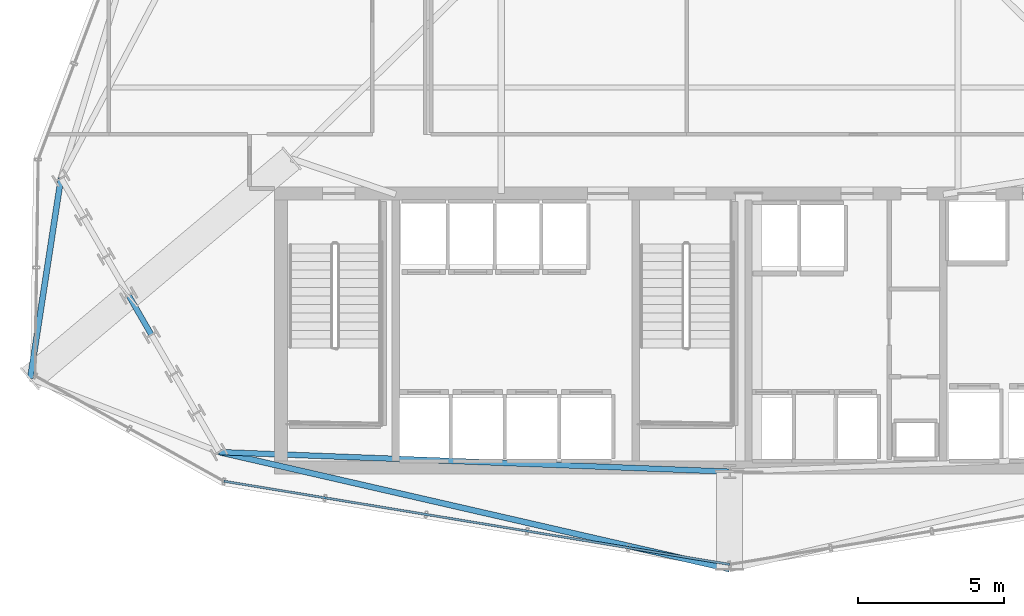
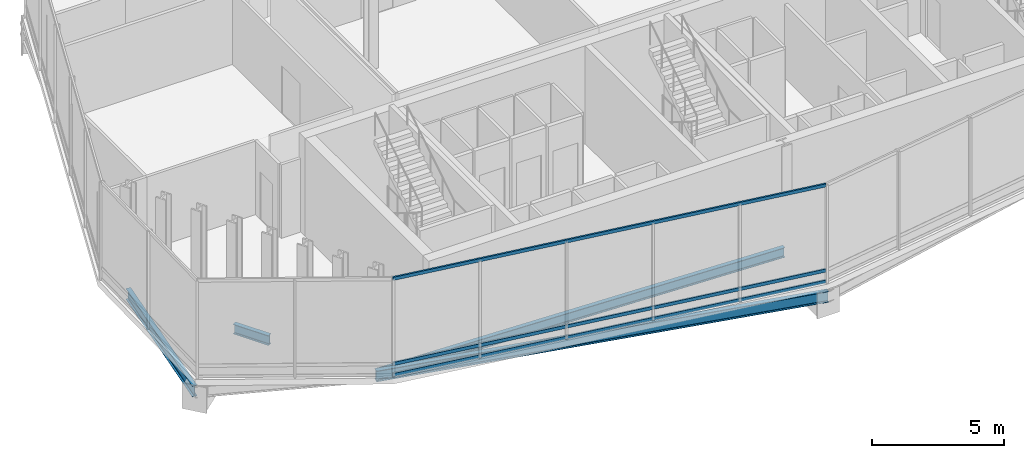
# One storey, part 3 of 26: 4 beams, 3 members, 1 element without a shape of its own.
"""IFC4 building model written with IfcOpenShell, lengths in metres."""

from ifc_helpers import new_model, si_unit, direction, frame, origin, origin_2d, place, context, subcontext, project, spatial, hollow_rectangle, i_section, extrude, material, layer, layer_set, material_profile, profile_set, type_object, element, aggregate, save


model = new_model("IFC4")

# Units and contexts
model_context = context("Model", 3, precision=1e-05, world=origin(), true_north=direction((0.0, 1.0)))
body_context = subcontext(model_context, "Body", "Model", "MODEL_VIEW")
ifc_project = project(units=[si_unit("LENGTHUNIT", "METRE"), si_unit("AREAUNIT", "SQUARE_METRE"), si_unit("VOLUMEUNIT", "CUBIC_METRE"), si_unit("PLANEANGLEUNIT", "RADIAN"), si_unit("MASSUNIT", "GRAM", prefix="KILO")], contexts=[model_context])

# Site, building, storey
site_placement = place(None, origin())
site = spatial("IfcSite", under=ifc_project, at=site_placement, CompositionType="ELEMENT")
building_placement = place(site_placement, origin())
building = spatial("IfcBuilding", under=site, at=building_placement, Name="Ndaravel Arena Tower", CompositionType="ELEMENT")
storey_placement = place(building_placement, frame((0.0, 0.0, 117.39990234375)))
storey = spatial("IfcBuildingStorey", under=building, at=storey_placement, Name="L27", CompositionType="ELEMENT", Elevation=117.39990234375)

# Beams
ifc_material_1 = material(Name="Steel S355", Category="steel")
ifc_material_profile_1 = material_profile(ifc_material_1, i_section(OverallWidth=0.18994140625, OverallDepth=0.449951171875, WebThickness=0.009521484375, FlangeThickness=0.0146484375, FilletRadius=0.02099609375, at=origin_2d()), Name="IPE 450")
ifc_profile_set_1 = profile_set([ifc_material_profile_1], Name="Steel S355")
beam_type_1 = type_object("IfcBeamType", Name="BM-SPAN-IPE450", PredefinedType="SPANDREL", material=ifc_profile_set_1)
beam_1_placement = place(storey_placement, frame((21.4775390625, 11.49462890625, -0.5048828125), z_axis=(0.5000008632, -0.866024905415, 0.0), x_axis=(0.866024905415, 0.5000008632, 0.0)))
element("IfcBeam", 1, at=beam_1_placement, inside=storey, type_object=beam_type_1, Name="L27 Perimeter Spandrel Beam SP-23", PredefinedType="SPANDREL", context=body_context, shape_type="SweptSolid", body=[
    extrude(i_section(OverallWidth=0.18994140625, OverallDepth=0.449951171875, WebThickness=0.009521484375, FlangeThickness=0.0146484375, FilletRadius=0.02099609375, at=origin_2d()), origin(), (0.0, 0.0, 1.0), 1.54345703125),
])
beam_2_placement = place(storey_placement, frame((24.564208984375, 6.148193359375, -0.5048828125), z_axis=(0.999266435486, -0.038296095242, 0.0), x_axis=(0.038296095242, 0.999266435486, 0.0)))
element("IfcBeam", 2, at=beam_2_placement, inside=storey, type_object=beam_type_1, Name="L27 Perimeter Spandrel Beam SP-27", PredefinedType="SPANDREL", context=body_context, shape_type="SweptSolid", body=[
    extrude(i_section(OverallWidth=0.18994140625, OverallDepth=0.449951171875, WebThickness=0.009521484375, FlangeThickness=0.0146484375, FilletRadius=0.02099609375, at=origin_2d()), origin(), (0.0, 0.0, 1.0), 17.448486328125),
])
ifc_material_2 = material(Name="Steel S355", Category="steel")
ifc_material_profile_2 = material_profile(ifc_material_2, i_section(OverallWidth=0.199951171875, OverallDepth=0.5, WebThickness=0.01025390625, FlangeThickness=0.01611328125, FilletRadius=0.02099609375, at=origin_2d()), Name="IPE 500")
ifc_profile_set_2 = profile_set([ifc_material_profile_2], Name="Steel S355")
beam_type_2 = type_object("IfcBeamType", Name="BM-SPAN-IPE500", PredefinedType="SPANDREL", material=ifc_profile_set_2)
beam_3_placement = place(storey_placement, frame((19.16259765625, 15.50439453125, -0.52978515625), z_axis=(-0.151535113883, -0.988451875035, 0.0), x_axis=(0.988451875035, -0.151535113883, 0.0)))
element("IfcBeam", 3, at=beam_3_placement, inside=storey, type_object=beam_type_2, Name="L27 Star Facet Edge Beam SEA-1", PredefinedType="SPANDREL", context=body_context, shape_type="SweptSolid", body=[
    extrude(i_section(OverallWidth=0.199951171875, OverallDepth=0.5, WebThickness=0.01025390625, FlangeThickness=0.01611328125, FilletRadius=0.02099609375, at=origin_2d()), origin(), (0.0, 0.0, 1.0), 6.9228515625),
])
beam_4_placement = place(storey_placement, frame((24.564208984375, 6.148193359375, -0.52978515625), z_axis=(0.974700797375, -0.223513658633, 0.0), x_axis=(0.223513658633, 0.974700797375, 0.0)))
element("IfcBeam", 4, at=beam_4_placement, inside=storey, type_object=beam_type_2, Name="L27 Star Facet Edge Beam SEA-2", PredefinedType="SPANDREL", context=body_context, shape_type="SweptSolid", body=[
    extrude(i_section(OverallWidth=0.199951171875, OverallDepth=0.5, WebThickness=0.01025390625, FlangeThickness=0.01611328125, FilletRadius=0.02099609375, at=origin_2d()), origin(), (0.0, 0.0, 1.0), 17.888427734375),
])

# Curtain wall, members
ifc_material_3 = material(Name="Aluminium", Category="aluminium")
ifc_layer = layer(ifc_material_3, 0.179931640625)
ifc_layer_set = layer_set([ifc_layer], Name="Aluminium")
curtain_wall_type = type_object("IfcCurtainWallType", Name="CW-SYS-04", PredefinedType="NOTDEFINED", material=ifc_layer_set)
curtain_wall_placement = place(storey_placement, origin())
curtain_wall = element("IfcCurtainWall", 5, at=curtain_wall_placement, inside=storey, type_object=curtain_wall_type, Name="L27 Faceted Crystal Curtain Wall CW-L27-E02", PredefinedType="NOTDEFINED")
ifc_material_4 = material(Name="Aluminium", Category="aluminium")
ifc_material_profile_3 = material_profile(ifc_material_4, hollow_rectangle(XDim=0.074951171875, YDim=0.14990234375, WallThickness=0.00390625, at=origin_2d()), Name="CW TRANSOM 75x150x4")
ifc_profile_set_3 = profile_set([ifc_material_profile_3], Name="Aluminium")
member_type = type_object("IfcMemberType", Name="MEM-CW-TRN150", PredefinedType="USERDEFINED", material=ifc_profile_set_3)
member_1_placement = place(storey_placement, frame((24.7265625, 5.1533203125, 0.0400390625), z_axis=(0.986739994862, -0.162308910846, 0.0), x_axis=(0.162308910846, 0.986739994862, 0.0)))
member_1 = element("IfcMember", 6, at=member_1_placement, type_object=member_type, Name="CW-L27-E02 Transom 01", ObjectType="TRANSOM", PredefinedType="USERDEFINED", context=body_context, shape_type="SweptSolid", body=[
    extrude(hollow_rectangle(XDim=0.074951171875, YDim=0.14990234375, WallThickness=0.00390625, at=origin_2d()), origin(), (0.0, 0.0, 1.0), 17.505615234375),
])
member_2_placement = place(storey_placement, frame((24.7265625, 5.1533203125, 0.550048828125), z_axis=(0.986739994862, -0.162308910846, 0.0), x_axis=(0.162308910846, 0.986739994862, 0.0)))
member_2 = element("IfcMember", 7, at=member_2_placement, type_object=member_type, Name="CW-L27-E02 Transom 02", ObjectType="TRANSOM", PredefinedType="USERDEFINED", context=body_context, shape_type="SweptSolid", body=[
    extrude(hollow_rectangle(XDim=0.074951171875, YDim=0.14990234375, WallThickness=0.00390625, at=origin_2d()), origin(), (0.0, 0.0, 1.0), 17.505615234375),
])
member_3_placement = place(storey_placement, frame((24.7265625, 5.1533203125, 4.47998046875), z_axis=(0.986739994862, -0.162308910846, 0.0), x_axis=(0.162308910846, 0.986739994862, 0.0)))
member_3 = element("IfcMember", 8, at=member_3_placement, type_object=member_type, Name="CW-L27-E02 Transom 03", ObjectType="TRANSOM", PredefinedType="USERDEFINED", context=body_context, shape_type="SweptSolid", body=[
    extrude(hollow_rectangle(XDim=0.074951171875, YDim=0.14990234375, WallThickness=0.00390625, at=origin_2d()), origin(), (0.0, 0.0, 1.0), 17.505615234375),
])
aggregate(curtain_wall, [member_1, member_2, member_3])

save(model, "model.ifc")
